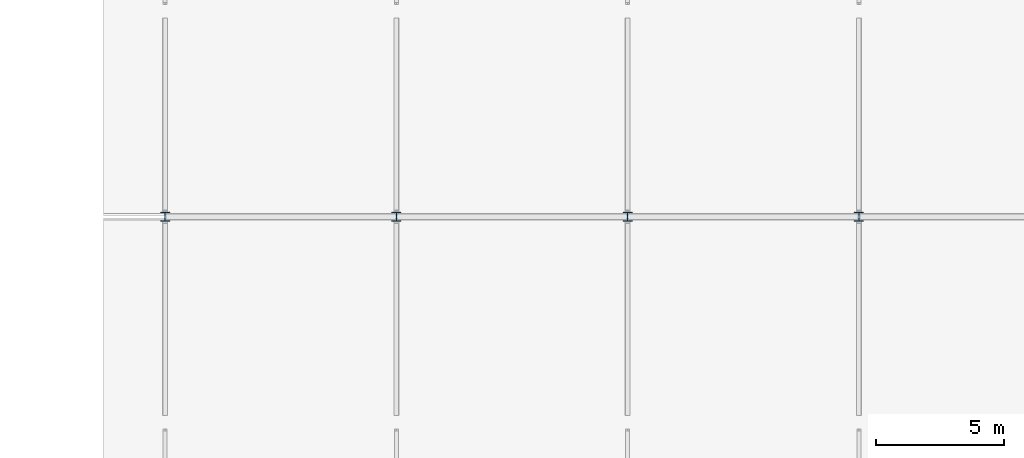
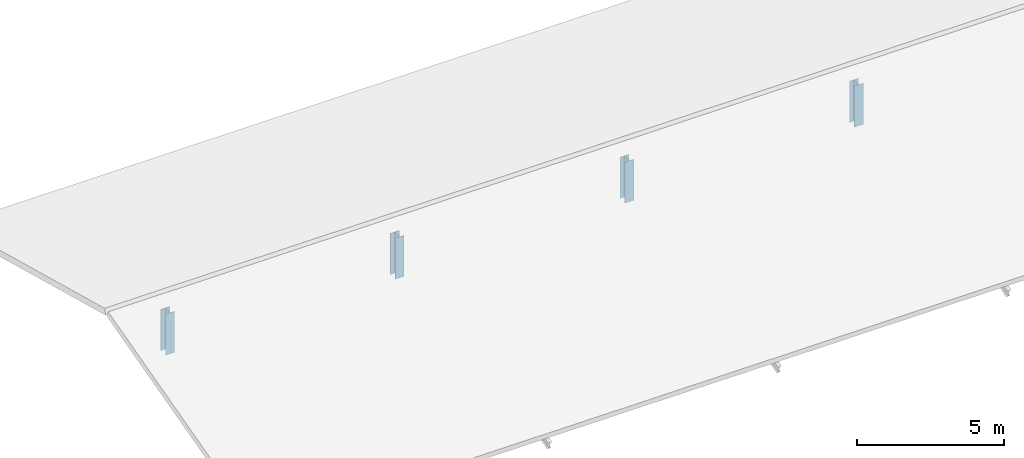
# One storey, part 3 of 71: 4 columns.
"""IFC4 building model written with IfcOpenShell, lengths in metres."""

from ifc_helpers import new_model, si_unit, derived_unit, direction, frame, origin, origin_2d, place, context, subcontext, project, spatial, i_section, extrude, material, material_profile, profile_set, type_object, element, save


model = new_model("IFC4")

# Units and contexts
model_context = context("Model", 3, precision=1e-05, world=origin(), true_north=direction((0.0, 1.0)))
body_context = subcontext(model_context, "Body", "Model", "MODEL_VIEW")
ifc_project = project(units=[si_unit("LENGTHUNIT", "METRE"), si_unit("AREAUNIT", "SQUARE_METRE"), si_unit("VOLUMEUNIT", "CUBIC_METRE"), si_unit("PLANEANGLEUNIT", "RADIAN"), si_unit("MASSUNIT", "GRAM", prefix="KILO"), derived_unit("THERMALTRANSMITTANCEUNIT", [(si_unit("MASSUNIT", "GRAM", prefix="KILO"), 1), (si_unit("TIMEUNIT", "SECOND"), -3), (si_unit("THERMODYNAMICTEMPERATUREUNIT", "KELVIN"), -1)])], contexts=[model_context])

# Site, building, storey
site_placement = place(None, origin())
site = spatial("IfcSite", under=ifc_project, at=site_placement, CompositionType="ELEMENT")
building_placement = place(site_placement, origin())
building = spatial("IfcBuilding", under=site, at=building_placement, Name="Zhenchuan Archway Interchange", CompositionType="ELEMENT")
storey_placement = place(building_placement, frame((0.0, 0.0, 18.60009765625)))
storey = spatial("IfcBuildingStorey", under=building, at=storey_placement, Name="L04", CompositionType="ELEMENT", Elevation=18.60009765625)

# Columns
ifc_material = material(Name="Steel Q355", Category="steel")
ifc_material_profile = material_profile(ifc_material, i_section(OverallWidth=0.35009765625, OverallDepth=0.35009765625, WebThickness=0.011962890625, FlangeThickness=0.01904296875, FilletRadius=0.02001953125, at=origin_2d()), Name="HW 350x350")
ifc_profile_set = profile_set([ifc_material_profile], Name="Steel Q355")
column_type = type_object("IfcColumnType", Name="COL_STL_HW350", PredefinedType="COLUMN", material=ifc_profile_set)
for number, where, z_axis, x_axis, name in (
    (1, (108.0, 16.0, 0.0), (0.0, 0.0, 1.0), (1.0, 0.0, 0.0), "Courtyard arm gable ridge column 13/C (L04)"),
    (2, (117.0, 16.0, 0.0), (0.0, 0.0, 1.0), (1.0, 0.0, 0.0), "Courtyard arm gable ridge column 14/C (L04)"),
    (3, (126.0, 16.0, 0.0), (0.0, 0.0, 1.0), (1.0, 0.0, 0.0), "Courtyard arm gable ridge column 15/C (L04)"),
    (4, (135.0, 16.0, 0.0), (0.0, 0.0, 1.0), (1.0, 0.0, 0.0), "Courtyard arm gable ridge column 16/C (L04)"),
):
    element("IfcColumn", number, at=place(storey_placement, frame(where, z_axis=z_axis, x_axis=x_axis)), inside=storey, type_object=column_type, Name=name, PredefinedType="COLUMN", context=body_context, shape_type="SweptSolid", body=[
        extrude(i_section(OverallWidth=0.35009765625, OverallDepth=0.35009765625, WebThickness=0.011962890625, FlangeThickness=0.01904296875, FilletRadius=0.02001953125, at=origin_2d()), origin(), (0.0, 0.0, 1.0), 1.699951171875),
    ])

save(model, "model.ifc")
